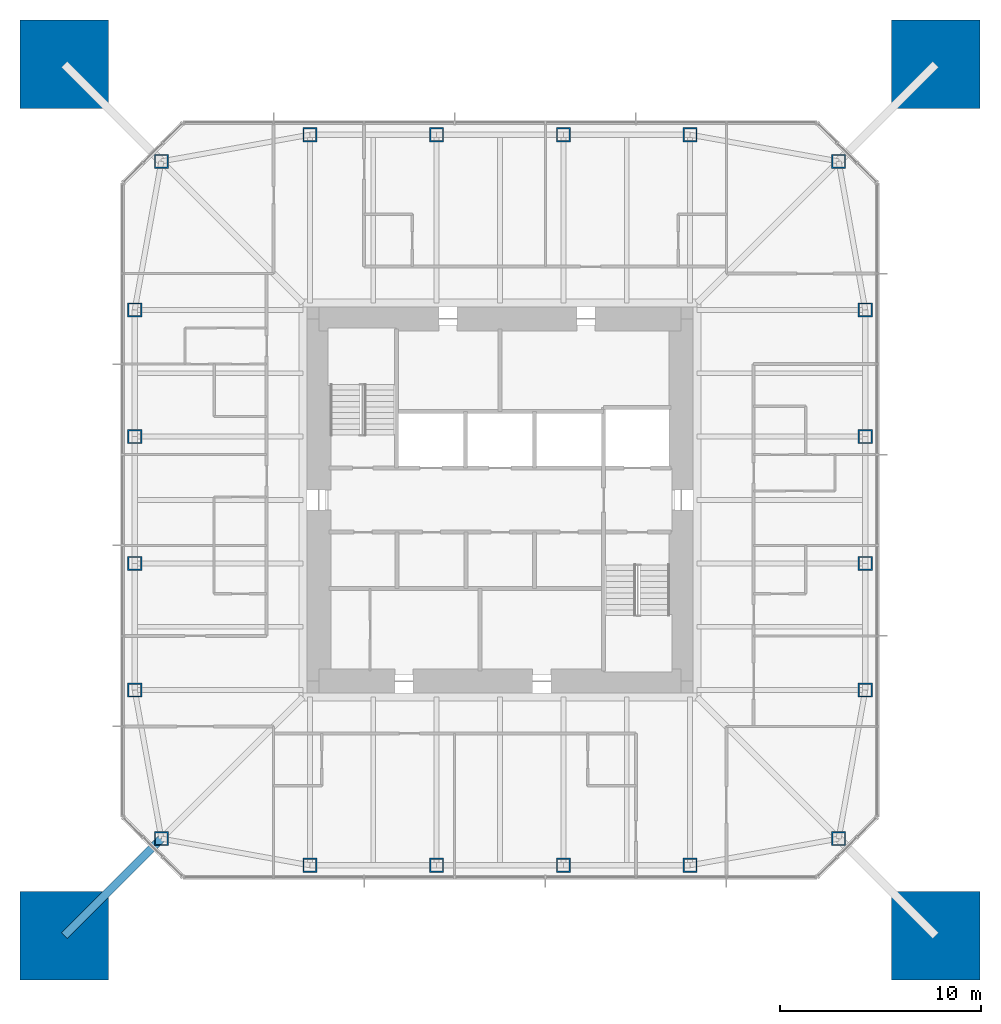
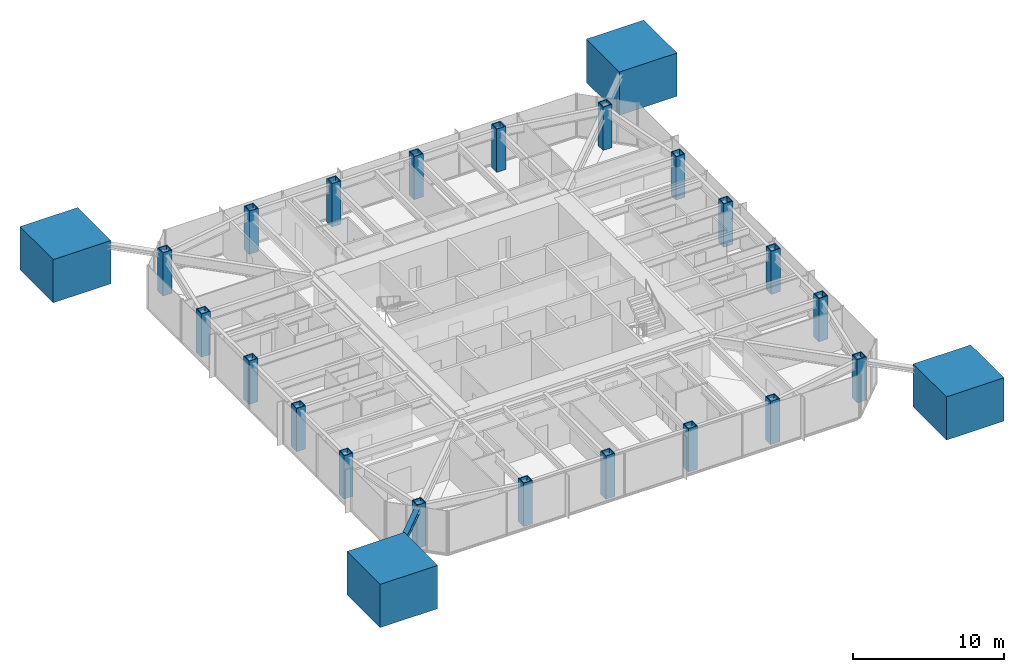
# One storey, part 1 of 11: 24 columns, 1 member.
"""IFC4 building model written with IfcOpenShell, lengths in metres."""

from ifc_helpers import new_model, si_unit, direction, frame, origin, origin_2d, place, context, subcontext, project, spatial, rectangle, hollow_rectangle, i_section, extrude, material, material_profile, profile_set, type_object, element, save


model = new_model("IFC4")

# Units and contexts
model_context = context("Model", 3, precision=1e-05, world=origin(), true_north=direction((0.0, 1.0)))
body_context = subcontext(model_context, "Body", "Model", "MODEL_VIEW")
ifc_project = project(units=[si_unit("LENGTHUNIT", "METRE"), si_unit("AREAUNIT", "SQUARE_METRE"), si_unit("VOLUMEUNIT", "CUBIC_METRE"), si_unit("PLANEANGLEUNIT", "RADIAN"), si_unit("MASSUNIT", "GRAM", prefix="KILO")], contexts=[model_context])

# Site, building, storey
site_placement = place(None, origin())
site = spatial("IfcSite", under=ifc_project, at=site_placement, CompositionType="ELEMENT")
building_placement = place(site_placement, origin())
building = spatial("IfcBuilding", under=site, at=building_placement, Name="Iwan Alto Co-Living Towers", CompositionType="ELEMENT")
storey_placement = place(building_placement, frame((0.0, 0.0, 202.0)))
storey = spatial("IfcBuildingStorey", under=building, at=storey_placement, Name="L55", CompositionType="ELEMENT", Elevation=202.0)

# Columns
ifc_material_1 = material(Name="Concrete f'c 70 MPa", Category="concrete")
ifc_material_profile_1 = material_profile(ifc_material_1, rectangle(XDim=4.39990234375, YDim=4.39990234375, at=origin_2d()), Name="RC 4400X4400")
ifc_profile_set_1 = profile_set([ifc_material_profile_1], Name="Concrete f'c 70 MPa")
column_type_1 = type_object("IfcColumnType", Name="T1 MEGA COLUMN RC 4400X4400", PredefinedType="COLUMN", material=ifc_profile_set_1)
for number, where, z_axis, x_axis, name in (
    (1, (-21.64990234375, -21.64990234375, 0.0), (0.0, 0.0, 1.0), (1.0, 0.0, 0.0), "T1 mega column SW L55"),
    (2, (21.64990234375, -21.64990234375, 0.0), (0.0, 0.0, 1.0), (1.0, 0.0, 0.0), "T1 mega column SE L55"),
    (3, (21.64990234375, 21.64990234375, 0.0), (0.0, 0.0, 1.0), (1.0, 0.0, 0.0), "T1 mega column NE L55"),
    (4, (-21.64990234375, 21.64990234375, 0.0), (0.0, 0.0, 1.0), (1.0, 0.0, 0.0), "T1 mega column NW L55"),
):
    element("IfcColumn", number, at=place(storey_placement, frame(where, z_axis=z_axis, x_axis=x_axis)), inside=storey, type_object=column_type_1, Name=name, PredefinedType="COLUMN", context=body_context, shape_type="SweptSolid", body=[
        extrude(rectangle(XDim=4.39990234375, YDim=4.39990234375, at=origin_2d()), origin(), (0.0, 0.0, 1.0), 3.5),
        extrude(i_section(OverallWidth=0.4775390625, OverallDepth=0.599365234375, WebThickness=0.10009765625, FlangeThickness=0.139892578125, at=origin_2d()), origin(), (0.0, 0.0, 1.0), 3.5),
    ])
ifc_material_2 = material(Name="Steel ASTM A572 Gr 50", Category="steel")
ifc_material_profile_2 = material_profile(ifc_material_2, hollow_rectangle(XDim=0.699951171875, YDim=0.699951171875, WallThickness=0.06005859375, at=origin_2d()), Name="BOX 700X700X60")
ifc_profile_set_2 = profile_set([ifc_material_profile_2], Name="Steel ASTM A572 Gr 50")
column_type_2 = type_object("IfcColumnType", Name="T1 RING COLUMN BOX 700X700X60", PredefinedType="COLUMN", material=ifc_profile_set_2)
for number, where, z_axis, x_axis, name in (
    (5, (-16.82568359375, -16.82568359375, 0.0), (0.0, 0.0, 1.0), (1.0, 0.0, 0.0), "T1 ring column CSW L55"),
    (6, (-9.449951171875, -18.14990234375, 0.0), (0.0, 0.0, 1.0), (1.0, 0.0, 0.0), "T1 ring column S1 L55"),
    (7, (-3.14990234375, -18.14990234375, 0.0), (0.0, 0.0, 1.0), (1.0, 0.0, 0.0), "T1 ring column S2 L55"),
    (8, (3.14990234375, -18.14990234375, 0.0), (0.0, 0.0, 1.0), (1.0, 0.0, 0.0), "T1 ring column S3 L55"),
    (9, (9.449951171875, -18.14990234375, 0.0), (0.0, 0.0, 1.0), (1.0, 0.0, 0.0), "T1 ring column S4 L55"),
    (10, (16.82568359375, -16.82568359375, 0.0), (0.0, 0.0, 1.0), (1.0, 0.0, 0.0), "T1 ring column CSE L55"),
    (11, (18.14990234375, -9.449951171875, 0.0), (0.0, 0.0, 1.0), (1.0, 0.0, 0.0), "T1 ring column E1 L55"),
    (12, (18.14990234375, -3.14990234375, 0.0), (0.0, 0.0, 1.0), (1.0, 0.0, 0.0), "T1 ring column E2 L55"),
    (13, (18.14990234375, 3.14990234375, 0.0), (0.0, 0.0, 1.0), (1.0, 0.0, 0.0), "T1 ring column E3 L55"),
    (14, (18.14990234375, 9.449951171875, 0.0), (0.0, 0.0, 1.0), (1.0, 0.0, 0.0), "T1 ring column E4 L55"),
    (15, (16.82568359375, 16.82568359375, 0.0), (0.0, 0.0, 1.0), (1.0, 0.0, 0.0), "T1 ring column CNE L55"),
    (16, (9.449951171875, 18.14990234375, 0.0), (0.0, 0.0, 1.0), (1.0, 0.0, 0.0), "T1 ring column N1 L55"),
    (17, (3.14990234375, 18.14990234375, 0.0), (0.0, 0.0, 1.0), (1.0, 0.0, 0.0), "T1 ring column N2 L55"),
    (18, (-3.14990234375, 18.14990234375, 0.0), (0.0, 0.0, 1.0), (1.0, 0.0, 0.0), "T1 ring column N3 L55"),
    (19, (-9.449951171875, 18.14990234375, 0.0), (0.0, 0.0, 1.0), (1.0, 0.0, 0.0), "T1 ring column N4 L55"),
    (20, (-16.82568359375, 16.82568359375, 0.0), (0.0, 0.0, 1.0), (1.0, 0.0, 0.0), "T1 ring column CNW L55"),
    (21, (-18.14990234375, 9.449951171875, 0.0), (0.0, 0.0, 1.0), (1.0, 0.0, 0.0), "T1 ring column W1 L55"),
    (22, (-18.14990234375, 3.14990234375, 0.0), (0.0, 0.0, 1.0), (1.0, 0.0, 0.0), "T1 ring column W2 L55"),
    (23, (-18.14990234375, -3.14990234375, 0.0), (0.0, 0.0, 1.0), (1.0, 0.0, 0.0), "T1 ring column W3 L55"),
    (24, (-18.14990234375, -9.449951171875, 0.0), (0.0, 0.0, 1.0), (1.0, 0.0, 0.0), "T1 ring column W4 L55"),
):
    element("IfcColumn", number, at=place(storey_placement, frame(where, z_axis=z_axis, x_axis=x_axis)), inside=storey, type_object=column_type_2, Name=name, PredefinedType="COLUMN", context=body_context, shape_type="SweptSolid", body=[
        extrude(hollow_rectangle(XDim=0.699951171875, YDim=0.699951171875, WallThickness=0.06005859375, at=origin_2d()), origin(), (0.0, 0.0, 1.0), 3.5),
    ])

# Member
ifc_material_3 = material(Name="Steel ASTM A992 Gr 50", Category="steel")
ifc_material_profile_3 = material_profile(ifc_material_3, i_section(OverallWidth=0.393798828125, OverallDepth=0.3759765625, WebThickness=0.017333984375, FlangeThickness=0.027587890625, at=origin_2d()), Name="W14X145")
ifc_profile_set_3 = profile_set([ifc_material_profile_3], Name="Steel ASTM A992 Gr 50")
member_type = type_object("IfcMemberType", Name="T1 MEGA COLUMN FLOOR TIE W14X145", PredefinedType="STRUT", material=ifc_profile_set_3)
member_placement = place(storey_placement, frame((-21.64990234375, -21.64990234375, 3.08203125), z_axis=(0.707106781187, 0.707106781187, 0.0), x_axis=(-0.707106781187, 0.707106781187, 0.0)))
element("IfcMember", 25, at=member_placement, inside=storey, type_object=member_type, Name="T1 mega column floor tie SW L56", PredefinedType="STRUT", context=body_context, shape_type="SweptSolid", body=[
    extrude(i_section(OverallWidth=0.393798828125, OverallDepth=0.3759765625, WebThickness=0.017333984375, FlangeThickness=0.027587890625, at=origin_2d()), origin(), (0.0, 0.0, 1.0), 6.822509765625),
])

save(model, "model.ifc")
